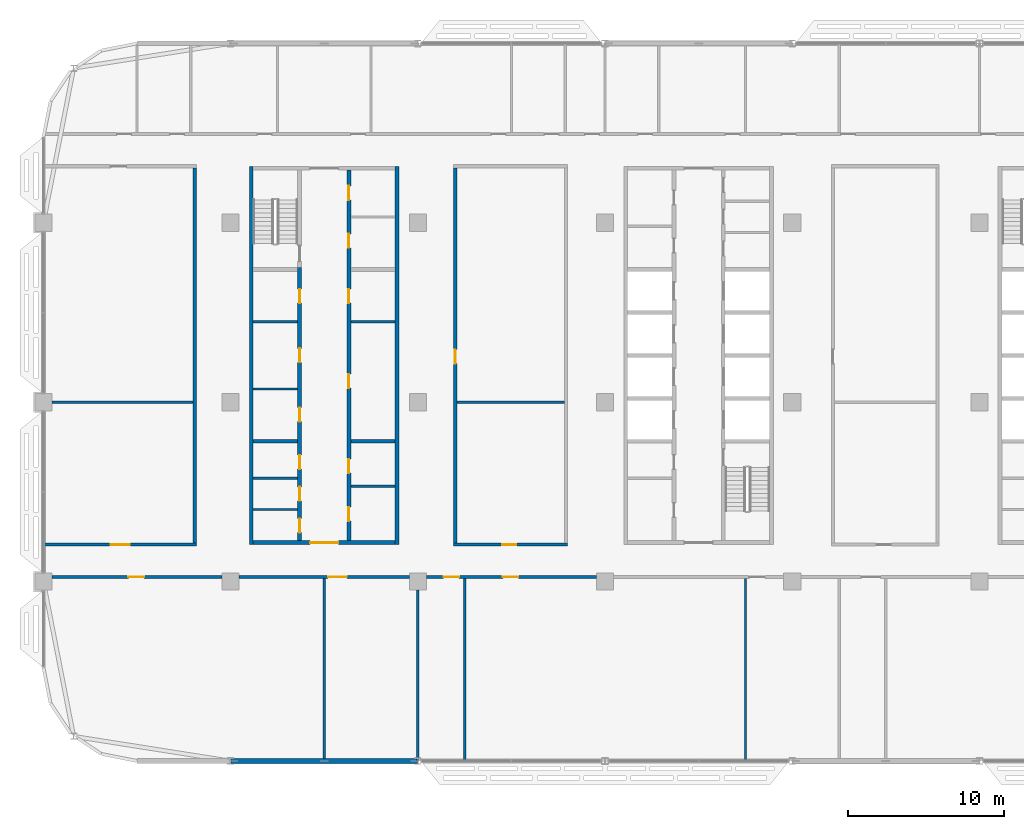
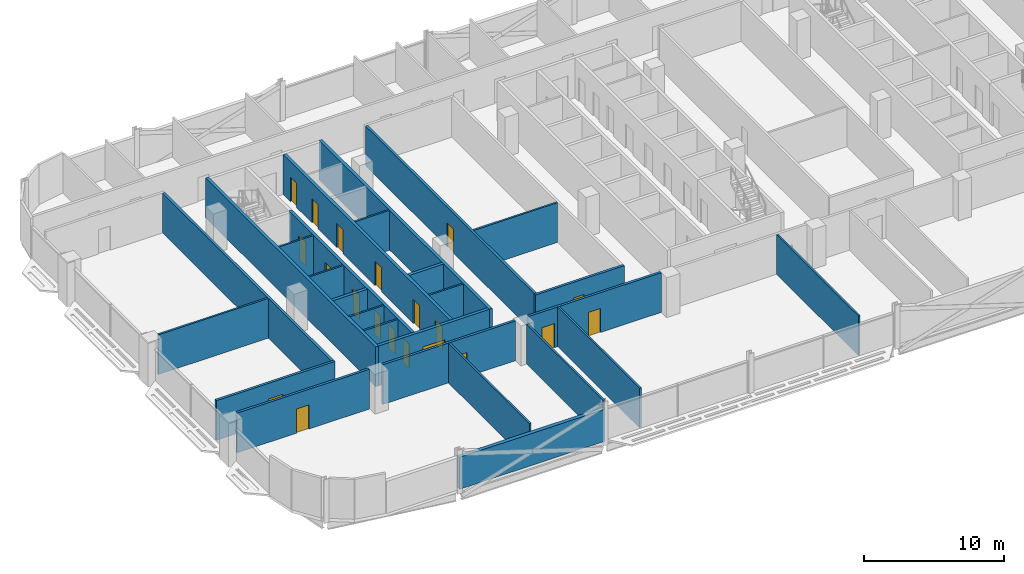
# One storey, part 13 of 30: 27 walls, 20 doors, 20 openings.
"""IFC4 building model written with IfcOpenShell, lengths in metres."""

from ifc_helpers import new_model, si_unit, direction, frame, frame_2d, origin, place, context, subcontext, project, spatial, rectangle, extrude, material, layer, layer_set, type_object, element, fill, save


model = new_model("IFC4")

# Units and contexts
model_context = context("Model", 3, precision=1e-05, world=origin(), true_north=direction((0.0, 1.0)))
body_context = subcontext(model_context, "Body", "Model", "MODEL_VIEW")
ifc_project = project(units=[si_unit("LENGTHUNIT", "METRE"), si_unit("AREAUNIT", "SQUARE_METRE"), si_unit("VOLUMEUNIT", "CUBIC_METRE"), si_unit("PLANEANGLEUNIT", "RADIAN"), si_unit("MASSUNIT", "GRAM", prefix="KILO")], contexts=[model_context])

# Site, building, storey
site_placement = place(None, origin())
site = spatial("IfcSite", under=ifc_project, at=site_placement, CompositionType="ELEMENT")
building_placement = place(site_placement, origin())
building = spatial("IfcBuilding", under=site, at=building_placement, Name="Mahtab Terrace Research Tower", CompositionType="ELEMENT")
storey_placement = place(building_placement, frame((0.0, 0.0, 216.699951171875)))
storey = spatial("IfcBuildingStorey", under=building, at=storey_placement, Name="L52", CompositionType="ELEMENT", Elevation=216.699951171875)

# Walls
ifc_material_1 = material(Name="Gypsum board partition")
ifc_layer_1 = layer(ifc_material_1, 0.14990234375)
ifc_layer_set_1 = layer_set([ifc_layer_1], Name="Core partition 150")
wall_type_1 = type_object("IfcWallType", Name="Core partition 150", PredefinedType="PARTITIONING", material=ifc_layer_set_1)
for number, where, z_axis, x_axis, name in (
    (1, (-28.550048828125, 0.85009765625, 0.0), (0.0, 0.0, 1.0), (1.0, 0.0, 0.0), "Core wall A pWL-215"),
    (2, (-28.550048828125, 5.14990234375, 0.0), (0.0, 0.0, 1.0), (1.0, 0.0, 0.0), "Core wall A pWL215"),
    (3, (-22.300048828125, 5.14990234375, 0.0), (0.0, 0.0, 1.0), (1.0, 0.0, 0.0), "Core wall A pEL215"),
    (4, (-28.550048828125, -6.875, 0.0), (0.0, 0.0, 1.0), (1.0, 0.0, 0.0), "Core wall A pWS-988"),
    (5, (-28.550048828125, -4.875, 0.0), (0.0, 0.0, 1.0), (1.0, 0.0, 0.0), "Core wall A pWS-788"),
    (6, (-22.300048828125, -5.39501953125, 0.0), (0.0, 0.0, 1.0), (1.0, 0.0, 0.0), "Core wall A pES-840"),
):
    element("IfcWall", number, at=place(storey_placement, frame(where, z_axis=z_axis, x_axis=x_axis)), inside=storey, type_object=wall_type_1, Name=name, PredefinedType="PARTITIONING", context=body_context, shape_type="SweptSolid", body=[
        extrude(rectangle(XDim=2.85009765625, YDim=0.14990234375, at=frame_2d((1.425048828125, 0.0))), origin(), (0.0, 0.0, 1.0), 3.4599609375),
    ])
ifc_material_2 = material(Name="Concrete C70/85", Category="concrete")
ifc_layer_2 = layer(ifc_material_2, 0.25)
ifc_layer_set_2 = layer_set([ifc_layer_2], Name="Core wall 250")
wall_type_2 = type_object("IfcWallType", Name="Core wall 250", PredefinedType="SOLIDWALL", material=ifc_layer_set_2)
for number, where, z_axis, x_axis, name in (
    (7, (-28.675048828125, 15.125, 0.0), (0.0, 0.0, 1.0), (0.0, -1.0, 0.0), "Core wall A outerW"),
    (8, (-19.324951171875, -9.125, 0.0), (0.0, 0.0, 1.0), (0.0, 1.0, 0.0), "Core wall A outerE"),
):
    element("IfcWall", number, at=place(storey_placement, frame(where, z_axis=z_axis, x_axis=x_axis)), inside=storey, type_object=wall_type_2, Name=name, PredefinedType="SOLIDWALL", context=body_context, shape_type="SweptSolid", body=[
        extrude(rectangle(XDim=24.25, YDim=0.25, at=frame_2d((12.125, 0.0))), origin(), (0.0, 0.0, 1.0), 3.4599609375),
    ])

# Wall, opening, door
wall_1_placement = place(storey_placement, frame((-19.449951171875, -9.0, 0.0), z_axis=(0.0, 0.0, 1.0), x_axis=(-1.0, 0.0, 0.0)))
wall_1 = element("IfcWall", 9, at=wall_1_placement, inside=storey, type_object=wall_type_2, Name="Core wall A endS", PredefinedType="SOLIDWALL", context=body_context, shape_type="SweptSolid", body=[
    extrude(rectangle(XDim=9.10009765625, YDim=0.25, at=frame_2d((4.550048828125, 0.0))), origin(), (0.0, 0.0, 1.0), 3.4599609375),
])
opening_1_placement = place(wall_1_placement, frame((3.64990234375, 0.0, 0.0)))
opening_1 = element("IfcOpeningElement", 10, at=opening_1_placement, cuts=wall_1, Name="Opening A-S1", PredefinedType="OPENING", context=body_context, shape_type="SweptSolid", body=[
    extrude(rectangle(XDim=1.800048828125, YDim=2.10009765625, at=frame_2d((0.89990234375, 1.050048828125))), frame((0.0, 0.135009765625, 0.0), z_axis=(0.0, -1.0, 0.0), x_axis=(1.0, 0.0, 0.0)), (0.0, 0.0, 1.0), 0.27001953125),
])
ifc_material_3 = material(Name="Steel fire door", Category="steel")
door_type_1 = type_object("IfcDoorType", Name="Lobby double door 1800x2100 1 HR", OperationType="DOUBLE_DOOR_SINGLE_SWING", PredefinedType="DOOR", material=ifc_material_3)
door_1_placement = place(opening_1_placement, origin())
door_1 = element("IfcDoor", 11, at=door_1_placement, inside=storey, type_object=door_type_1, Name="Core entrance door A S", OperationType="DOUBLE_DOOR_SINGLE_SWING", OverallHeight=2.10009765625, OverallWidth=1.800048828125, PredefinedType="DOOR", context=body_context, shape_type="SweptSolid", body=[
    extrude(rectangle(XDim=1.800048828125, YDim=2.10009765625, at=frame_2d((0.89990234375, 1.050048828125))), frame((0.0, 0.02490234375, 0.0), z_axis=(0.0, -1.0, 0.0), x_axis=(1.0, 0.0, 0.0)), (0.0, 0.0, 1.0), 0.050048828125),
])
fill(opening_1, door_1)

# Wall, openings, doors
wall_2_placement = place(storey_placement, frame((-25.574951171875, -8.875, 0.0), z_axis=(0.0, 0.0, 1.0), x_axis=(0.0, 1.0, 0.0)))
wall_2 = element("IfcWall", 12, at=wall_2_placement, inside=storey, type_object=wall_type_2, Name="Core wall A innerWSL", PredefinedType="SOLIDWALL", context=body_context, shape_type="SweptSolid", body=[
    extrude(rectangle(XDim=17.5, YDim=0.25, at=frame_2d((8.75, 0.0))), origin(), (0.0, 0.0, 1.0), 3.4599609375),
])
opening_2_placement = place(wall_2_placement, frame((7.625, 0.0, 0.0)))
opening_2 = element("IfcOpeningElement", 13, at=opening_2_placement, cuts=wall_2, Name="Opening A-R1", PredefinedType="OPENING", context=body_context, shape_type="SweptSolid", body=[
    extrude(rectangle(XDim=0.89990234375, YDim=2.10009765625, at=frame_2d((0.449951171875, 1.050048828125))), frame((0.0, 0.135009765625, 0.0), z_axis=(0.0, -1.0, 0.0), x_axis=(1.0, 0.0, 0.0)), (0.0, 0.0, 1.0), 0.27001953125),
])
opening_3_placement = place(wall_2_placement, frame((11.425048828125, 0.0, 0.0)))
opening_3 = element("IfcOpeningElement", 14, at=opening_3_placement, cuts=wall_2, Name="Opening A-R2", PredefinedType="OPENING", context=body_context, shape_type="SweptSolid", body=[
    extrude(rectangle(XDim=0.89990234375, YDim=2.10009765625, at=frame_2d((0.449951171875, 1.050048828125))), frame((0.0, 0.135009765625, 0.0), z_axis=(0.0, -1.0, 0.0), x_axis=(1.0, 0.0, 0.0)), (0.0, 0.0, 1.0), 0.27001953125),
])
opening_4_placement = place(wall_2_placement, frame((15.22509765625, 0.0, 0.0)))
opening_4 = element("IfcOpeningElement", 15, at=opening_4_placement, cuts=wall_2, Name="Opening A-R3", PredefinedType="OPENING", context=body_context, shape_type="SweptSolid", body=[
    extrude(rectangle(XDim=0.89990234375, YDim=2.10009765625, at=frame_2d((0.449951171875, 1.050048828125))), frame((0.0, 0.135009765625, 0.0), z_axis=(0.0, -1.0, 0.0), x_axis=(1.0, 0.0, 0.0)), (0.0, 0.0, 1.0), 0.27001953125),
])
opening_5_placement = place(wall_2_placement, frame((0.512451171875, 0.0, 0.0)))
opening_5 = element("IfcOpeningElement", 16, at=opening_5_placement, cuts=wall_2, Name="Opening A-R6", PredefinedType="OPENING", context=body_context, shape_type="SweptSolid", body=[
    extrude(rectangle(XDim=0.89990234375, YDim=2.10009765625, at=frame_2d((0.449951171875, 1.050048828125))), frame((0.0, 0.135009765625, 0.0), z_axis=(0.0, -1.0, 0.0), x_axis=(1.0, 0.0, 0.0)), (0.0, 0.0, 1.0), 0.27001953125),
])
opening_6_placement = place(wall_2_placement, frame((2.550048828125, 0.0, 0.0)))
opening_6 = element("IfcOpeningElement", 17, at=opening_6_placement, cuts=wall_2, Name="Opening A-R7", PredefinedType="OPENING", context=body_context, shape_type="SweptSolid", body=[
    extrude(rectangle(XDim=0.89990234375, YDim=2.10009765625, at=frame_2d((0.449951171875, 1.050048828125))), frame((0.0, 0.135009765625, 0.0), z_axis=(0.0, -1.0, 0.0), x_axis=(1.0, 0.0, 0.0)), (0.0, 0.0, 1.0), 0.27001953125),
])
opening_7_placement = place(wall_2_placement, frame((4.58740234375, 0.0, 0.0)))
opening_7 = element("IfcOpeningElement", 18, at=opening_7_placement, cuts=wall_2, Name="Opening A-R8", PredefinedType="OPENING", context=body_context, shape_type="SweptSolid", body=[
    extrude(rectangle(XDim=0.89990234375, YDim=2.10009765625, at=frame_2d((0.449951171875, 1.050048828125))), frame((0.0, 0.135009765625, 0.0), z_axis=(0.0, -1.0, 0.0), x_axis=(1.0, 0.0, 0.0)), (0.0, 0.0, 1.0), 0.27001953125),
])
door_type_2 = type_object("IfcDoorType", Name="Room door 900x2100 1 HR", OperationType="NOTDEFINED", PredefinedType="DOOR", material=ifc_material_3)
door_2_placement = place(opening_2_placement, origin())
door_2 = element("IfcDoor", 19, at=door_2_placement, inside=storey, type_object=door_type_2, Name="Electrical room door", OperationType="SINGLE_SWING_LEFT", OverallHeight=2.10009765625, OverallWidth=0.89990234375, PredefinedType="DOOR", context=body_context, shape_type="SweptSolid", body=[
    extrude(rectangle(XDim=0.89990234375, YDim=2.10009765625, at=frame_2d((0.449951171875, 1.050048828125))), frame((0.0, 0.02490234375, 0.0), z_axis=(0.0, -1.0, 0.0), x_axis=(1.0, 0.0, 0.0)), (0.0, 0.0, 1.0), 0.050048828125),
])
fill(opening_2, door_2)
door_3_placement = place(opening_3_placement, origin())
door_3 = element("IfcDoor", 20, at=door_3_placement, inside=storey, type_object=door_type_2, Name="Pantry door", OperationType="SINGLE_SWING_RIGHT", OverallHeight=2.10009765625, OverallWidth=0.89990234375, PredefinedType="DOOR", context=body_context, shape_type="SweptSolid", body=[
    extrude(rectangle(XDim=0.89990234375, YDim=2.10009765625, at=frame_2d((0.449951171875, 1.050048828125))), frame((0.0, 0.02490234375, 0.0), z_axis=(0.0, -1.0, 0.0), x_axis=(1.0, 0.0, 0.0)), (0.0, 0.0, 1.0), 0.050048828125),
])
fill(opening_3, door_3)
door_4_placement = place(opening_4_placement, origin())
door_4 = element("IfcDoor", 21, at=door_4_placement, inside=storey, type_object=door_type_2, Name="Housekeeping store door", OperationType="SINGLE_SWING_LEFT", OverallHeight=2.10009765625, OverallWidth=0.89990234375, PredefinedType="DOOR", context=body_context, shape_type="SweptSolid", body=[
    extrude(rectangle(XDim=0.89990234375, YDim=2.10009765625, at=frame_2d((0.449951171875, 1.050048828125))), frame((0.0, 0.02490234375, 0.0), z_axis=(0.0, -1.0, 0.0), x_axis=(1.0, 0.0, 0.0)), (0.0, 0.0, 1.0), 0.050048828125),
])
fill(opening_4, door_4)
door_5_placement = place(opening_5_placement, origin())
door_5 = element("IfcDoor", 22, at=door_5_placement, inside=storey, type_object=door_type_2, Name="Male WC door", OperationType="SINGLE_SWING_RIGHT", OverallHeight=2.10009765625, OverallWidth=0.89990234375, PredefinedType="DOOR", context=body_context, shape_type="SweptSolid", body=[
    extrude(rectangle(XDim=0.89990234375, YDim=2.10009765625, at=frame_2d((0.449951171875, 1.050048828125))), frame((0.0, 0.02490234375, 0.0), z_axis=(0.0, -1.0, 0.0), x_axis=(1.0, 0.0, 0.0)), (0.0, 0.0, 1.0), 0.050048828125),
])
fill(opening_5, door_5)
door_6_placement = place(opening_6_placement, origin())
door_6 = element("IfcDoor", 23, at=door_6_placement, inside=storey, type_object=door_type_2, Name="Female WC door", OperationType="SINGLE_SWING_LEFT", OverallHeight=2.10009765625, OverallWidth=0.89990234375, PredefinedType="DOOR", context=body_context, shape_type="SweptSolid", body=[
    extrude(rectangle(XDim=0.89990234375, YDim=2.10009765625, at=frame_2d((0.449951171875, 1.050048828125))), frame((0.0, 0.02490234375, 0.0), z_axis=(0.0, -1.0, 0.0), x_axis=(1.0, 0.0, 0.0)), (0.0, 0.0, 1.0), 0.050048828125),
])
fill(opening_6, door_6)
door_7_placement = place(opening_7_placement, origin())
door_7 = element("IfcDoor", 24, at=door_7_placement, inside=storey, type_object=door_type_2, Name="Accessible WC door", OperationType="SINGLE_SWING_RIGHT", OverallHeight=2.10009765625, OverallWidth=0.89990234375, PredefinedType="DOOR", context=body_context, shape_type="SweptSolid", body=[
    extrude(rectangle(XDim=0.89990234375, YDim=2.10009765625, at=frame_2d((0.449951171875, 1.050048828125))), frame((0.0, 0.02490234375, 0.0), z_axis=(0.0, -1.0, 0.0), x_axis=(1.0, 0.0, 0.0)), (0.0, 0.0, 1.0), 0.050048828125),
])
fill(opening_7, door_7)

wall_3_placement = place(storey_placement, frame((-22.425048828125, 14.875, 0.0), z_axis=(0.0, 0.0, 1.0), x_axis=(0.0, -1.0, 0.0)))
wall_3 = element("IfcWall", 25, at=wall_3_placement, inside=storey, type_object=wall_type_2, Name="Core wall A innerESLN", PredefinedType="SOLIDWALL", context=body_context, shape_type="SweptSolid", body=[
    extrude(rectangle(XDim=23.75, YDim=0.25, at=frame_2d((11.875, 0.0))), origin(), (0.0, 0.0, 1.0), 3.4599609375),
])
opening_8_placement = place(wall_3_placement, frame((13.074951171875, 0.0, 0.0)))
opening_8 = element("IfcOpeningElement", 26, at=opening_8_placement, cuts=wall_3, Name="Opening A-R4", PredefinedType="OPENING", context=body_context, shape_type="SweptSolid", body=[
    extrude(rectangle(XDim=0.89990234375, YDim=2.10009765625, at=frame_2d((0.449951171875, 1.050048828125))), frame((0.0, 0.135009765625, 0.0), z_axis=(0.0, -1.0, 0.0), x_axis=(1.0, 0.0, 0.0)), (0.0, 0.0, 1.0), 0.27001953125),
])
opening_9_placement = place(wall_3_placement, frame((7.625, 0.0, 0.0)))
opening_9 = element("IfcOpeningElement", 27, at=opening_9_placement, cuts=wall_3, Name="Opening A-R5", PredefinedType="OPENING", context=body_context, shape_type="SweptSolid", body=[
    extrude(rectangle(XDim=0.89990234375, YDim=2.10009765625, at=frame_2d((0.449951171875, 1.050048828125))), frame((0.0, 0.135009765625, 0.0), z_axis=(0.0, -1.0, 0.0), x_axis=(1.0, 0.0, 0.0)), (0.0, 0.0, 1.0), 0.27001953125),
])
opening_10_placement = place(wall_3_placement, frame((21.597412109375, 0.0, 0.0)))
opening_10 = element("IfcOpeningElement", 28, at=opening_10_placement, cuts=wall_3, Name="Opening A-R9", PredefinedType="OPENING", context=body_context, shape_type="SweptSolid", body=[
    extrude(rectangle(XDim=0.89990234375, YDim=2.10009765625, at=frame_2d((0.449951171875, 1.050048828125))), frame((0.0, 0.135009765625, 0.0), z_axis=(0.0, -1.0, 0.0), x_axis=(1.0, 0.0, 0.0)), (0.0, 0.0, 1.0), 0.27001953125),
])
opening_11_placement = place(wall_3_placement, frame((18.5224609375, 0.0, 0.0)))
opening_11 = element("IfcOpeningElement", 29, at=opening_11_placement, cuts=wall_3, Name="Opening A-R10", PredefinedType="OPENING", context=body_context, shape_type="SweptSolid", body=[
    extrude(rectangle(XDim=0.89990234375, YDim=2.10009765625, at=frame_2d((0.449951171875, 1.050048828125))), frame((0.0, 0.135009765625, 0.0), z_axis=(0.0, -1.0, 0.0), x_axis=(1.0, 0.0, 0.0)), (0.0, 0.0, 1.0), 0.27001953125),
])
opening_12_placement = place(wall_3_placement, frame((4.08740234375, 0.0, 0.0)))
opening_12 = element("IfcOpeningElement", 30, at=opening_12_placement, cuts=wall_3, Name="Opening A-R11", PredefinedType="OPENING", context=body_context, shape_type="SweptSolid", body=[
    extrude(rectangle(XDim=0.89990234375, YDim=2.10009765625, at=frame_2d((0.449951171875, 1.050048828125))), frame((0.0, 0.135009765625, 0.0), z_axis=(0.0, -1.0, 0.0), x_axis=(1.0, 0.0, 0.0)), (0.0, 0.0, 1.0), 0.27001953125),
])
opening_13_placement = place(wall_3_placement, frame((1.012451171875, 0.0, 0.0)))
opening_13 = element("IfcOpeningElement", 31, at=opening_13_placement, cuts=wall_3, Name="Opening A-R12", PredefinedType="OPENING", context=body_context, shape_type="SweptSolid", body=[
    extrude(rectangle(XDim=0.89990234375, YDim=2.10009765625, at=frame_2d((0.449951171875, 1.050048828125))), frame((0.0, 0.135009765625, 0.0), z_axis=(0.0, -1.0, 0.0), x_axis=(1.0, 0.0, 0.0)), (0.0, 0.0, 1.0), 0.27001953125),
])
door_8_placement = place(opening_8_placement, origin())
door_8 = element("IfcDoor", 32, at=door_8_placement, inside=storey, type_object=door_type_2, Name="Chemical store door", OperationType="SINGLE_SWING_RIGHT", OverallHeight=2.10009765625, OverallWidth=0.89990234375, PredefinedType="DOOR", context=body_context, shape_type="SweptSolid", body=[
    extrude(rectangle(XDim=0.89990234375, YDim=2.10009765625, at=frame_2d((0.449951171875, 1.050048828125))), frame((0.0, 0.02490234375, 0.0), z_axis=(0.0, -1.0, 0.0), x_axis=(1.0, 0.0, 0.0)), (0.0, 0.0, 1.0), 0.050048828125),
])
fill(opening_8, door_8)
door_9_placement = place(opening_9_placement, origin())
door_9 = element("IfcDoor", 33, at=door_9_placement, inside=storey, type_object=door_type_2, Name="Waste room door", OperationType="SINGLE_SWING_LEFT", OverallHeight=2.10009765625, OverallWidth=0.89990234375, PredefinedType="DOOR", context=body_context, shape_type="SweptSolid", body=[
    extrude(rectangle(XDim=0.89990234375, YDim=2.10009765625, at=frame_2d((0.449951171875, 1.050048828125))), frame((0.0, 0.02490234375, 0.0), z_axis=(0.0, -1.0, 0.0), x_axis=(1.0, 0.0, 0.0)), (0.0, 0.0, 1.0), 0.050048828125),
])
fill(opening_9, door_9)
door_10_placement = place(opening_10_placement, origin())
door_10 = element("IfcDoor", 34, at=door_10_placement, inside=storey, type_object=door_type_2, Name="Pantry door", OperationType="SINGLE_SWING_LEFT", OverallHeight=2.10009765625, OverallWidth=0.89990234375, PredefinedType="DOOR", context=body_context, shape_type="SweptSolid", body=[
    extrude(rectangle(XDim=0.89990234375, YDim=2.10009765625, at=frame_2d((0.449951171875, 1.050048828125))), frame((0.0, 0.02490234375, 0.0), z_axis=(0.0, -1.0, 0.0), x_axis=(1.0, 0.0, 0.0)), (0.0, 0.0, 1.0), 0.050048828125),
])
fill(opening_10, door_10)
door_11_placement = place(opening_11_placement, origin())
door_11 = element("IfcDoor", 35, at=door_11_placement, inside=storey, type_object=door_type_2, Name="Linen store door", OperationType="SINGLE_SWING_RIGHT", OverallHeight=2.10009765625, OverallWidth=0.89990234375, PredefinedType="DOOR", context=body_context, shape_type="SweptSolid", body=[
    extrude(rectangle(XDim=0.89990234375, YDim=2.10009765625, at=frame_2d((0.449951171875, 1.050048828125))), frame((0.0, 0.02490234375, 0.0), z_axis=(0.0, -1.0, 0.0), x_axis=(1.0, 0.0, 0.0)), (0.0, 0.0, 1.0), 0.050048828125),
])
fill(opening_11, door_11)
door_12_placement = place(opening_12_placement, origin())
door_12 = element("IfcDoor", 36, at=door_12_placement, inside=storey, type_object=door_type_2, Name="Housekeeping store door", OperationType="SINGLE_SWING_LEFT", OverallHeight=2.10009765625, OverallWidth=0.89990234375, PredefinedType="DOOR", context=body_context, shape_type="SweptSolid", body=[
    extrude(rectangle(XDim=0.89990234375, YDim=2.10009765625, at=frame_2d((0.449951171875, 1.050048828125))), frame((0.0, 0.02490234375, 0.0), z_axis=(0.0, -1.0, 0.0), x_axis=(1.0, 0.0, 0.0)), (0.0, 0.0, 1.0), 0.050048828125),
])
fill(opening_12, door_12)
door_13_placement = place(opening_13_placement, origin())
door_13 = element("IfcDoor", 37, at=door_13_placement, inside=storey, type_object=door_type_2, Name="Electrical riser room door", OperationType="SINGLE_SWING_RIGHT", OverallHeight=2.10009765625, OverallWidth=0.89990234375, PredefinedType="DOOR", context=body_context, shape_type="SweptSolid", body=[
    extrude(rectangle(XDim=0.89990234375, YDim=2.10009765625, at=frame_2d((0.449951171875, 1.050048828125))), frame((0.0, 0.02490234375, 0.0), z_axis=(0.0, -1.0, 0.0), x_axis=(1.0, 0.0, 0.0)), (0.0, 0.0, 1.0), 0.050048828125),
])
fill(opening_13, door_13)

# Walls
for number, where, z_axis, x_axis, name in (
    (38, (-28.550048828125, -2.5, 0.0), (0.0, 0.0, 1.0), (1.0, 0.0, 0.0), "Core wall A divW0"),
    (39, (-22.300048828125, -2.5, 0.0), (0.0, 0.0, 1.0), (1.0, 0.0, 0.0), "Core wall A divE0"),
):
    element("IfcWall", number, at=place(storey_placement, frame(where, z_axis=z_axis, x_axis=x_axis)), inside=storey, type_object=wall_type_2, Name=name, PredefinedType="SOLIDWALL", context=body_context, shape_type="SweptSolid", body=[
        extrude(rectangle(XDim=2.85009765625, YDim=0.25, at=frame_2d((1.425048828125, 0.0))), origin(), (0.0, 0.0, 1.0), 3.4599609375),
    ])
ifc_material_4 = material(Name="Black aluminium cladding panel", Category="aluminium")
ifc_layer_3 = layer(ifc_material_4, 0.300048828125)
ifc_layer_set_3 = layer_set([ifc_layer_3], Name="Opaque facade wall 300")
wall_type_3 = type_object("IfcWallType", Name="Opaque facade wall 300", PredefinedType="NOTDEFINED", material=ifc_layer_set_3)
wall_4_placement = place(storey_placement, frame((-29.987548828125, -23.0, 0.0), z_axis=(0.0, 0.0, 1.0), x_axis=(1.0, 0.0, 0.0)))
element("IfcWall", 40, at=wall_4_placement, inside=storey, type_object=wall_type_3, Name="Opaque facade wall L52 S24", PredefinedType="NOTDEFINED", context=body_context, shape_type="SweptSolid", body=[
    extrude(rectangle(XDim=11.97509765625, YDim=0.300048828125, at=frame_2d((5.987548828125, 0.0))), origin(), (0.0, 0.0, 1.0), 2.78173828125),
])

# Wall, opening, door
ifc_material_5 = material(Name="Gypsum board corridor wall on steel studs", Category="steel")
ifc_layer_4 = layer(ifc_material_5, 0.199951171875)
ifc_layer_set_4 = layer_set([ifc_layer_4], Name="WALL CORRIDOR 200")
wall_type_4 = type_object("IfcWallType", Name="WALL CORRIDOR 200", PredefinedType="PARTITIONING", material=ifc_layer_set_4)
wall_5_placement = place(storey_placement, frame((-41.449951171875, -11.199951171875, 0.0), z_axis=(0.0, 0.0, 1.0), x_axis=(1.0, 0.0, 0.0)))
wall_5 = element("IfcWall", 41, at=wall_5_placement, inside=storey, type_object=wall_type_4, Name="L52-W001", PredefinedType="PARTITIONING", context=body_context, shape_type="SweptSolid", body=[
    extrude(rectangle(XDim=10.89990234375, YDim=0.199951171875, at=frame_2d((5.449951171875, 0.0))), origin(), (0.0, 0.0, 1.0), 3.4599609375),
])
opening_14_placement = place(wall_5_placement, frame((4.89990234375, 0.0, 0.0)))
opening_14 = element("IfcOpeningElement", 42, at=opening_14_placement, cuts=wall_5, Name="Opening L52-101", PredefinedType="OPENING", context=body_context, shape_type="SweptSolid", body=[
    extrude(rectangle(XDim=1.0, YDim=2.10009765625, at=frame_2d((0.5, 1.050048828125))), frame((0.0, 0.10986328125, 0.0), z_axis=(0.0, -1.0, 0.0), x_axis=(1.0, 0.0, 0.0)), (0.0, 0.0, 1.0), 0.219970703125),
])
ifc_material_6 = material(Name="Timber door leaf in steel frame", Category="steel")
door_type_3 = type_object("IfcDoorType", Name="DOOR 1000X2100 FD30S", OperationType="SINGLE_SWING_LEFT", PredefinedType="DOOR", material=ifc_material_6)
door_14_placement = place(opening_14_placement, origin())
door_14 = element("IfcDoor", 43, at=door_14_placement, inside=storey, type_object=door_type_3, Name="Door L52-101", OperationType="SINGLE_SWING_RIGHT", OverallHeight=2.10009765625, OverallWidth=1.0, PredefinedType="DOOR", context=body_context, shape_type="SweptSolid", body=[
    extrude(rectangle(XDim=1.0, YDim=2.10009765625, at=frame_2d((0.5, 1.050048828125))), frame((0.0, 0.02490234375, 0.0), z_axis=(0.0, -1.0, 0.0), x_axis=(1.0, 0.0, 0.0)), (0.0, 0.0, 1.0), 0.050048828125),
])
fill(opening_14, door_14)

wall_6_placement = place(storey_placement, frame((-29.449951171875, -11.199951171875, 0.0), z_axis=(0.0, 0.0, 1.0), x_axis=(1.0, 0.0, 0.0)))
wall_6 = element("IfcWall", 44, at=wall_6_placement, inside=storey, type_object=wall_type_4, Name="L52-W002", PredefinedType="PARTITIONING", context=body_context, shape_type="SweptSolid", body=[
    extrude(rectangle(XDim=10.89990234375, YDim=0.199951171875, at=frame_2d((5.449951171875, 0.0))), origin(), (0.0, 0.0, 1.0), 3.4599609375),
])
opening_15_placement = place(wall_6_placement, frame((5.699951171875, 0.0, 0.0)))
opening_15 = element("IfcOpeningElement", 45, at=opening_15_placement, cuts=wall_6, Name="Opening L52-102", PredefinedType="OPENING", context=body_context, shape_type="SweptSolid", body=[
    extrude(rectangle(XDim=1.199951171875, YDim=2.10009765625, at=frame_2d((0.60009765625, 1.050048828125))), frame((0.0, 0.10986328125, 0.0), z_axis=(0.0, -1.0, 0.0), x_axis=(1.0, 0.0, 0.0)), (0.0, 0.0, 1.0), 0.219970703125),
])
door_type_4 = type_object("IfcDoorType", Name="DOOR 1200X2100 FD30S", OperationType="SINGLE_SWING_LEFT", PredefinedType="DOOR", material=ifc_material_6)
door_15_placement = place(opening_15_placement, origin())
door_15 = element("IfcDoor", 46, at=door_15_placement, inside=storey, type_object=door_type_4, Name="Door L52-102", OperationType="SINGLE_SWING_LEFT", OverallHeight=2.10009765625, OverallWidth=1.199951171875, PredefinedType="DOOR", context=body_context, shape_type="SweptSolid", body=[
    extrude(rectangle(XDim=1.199951171875, YDim=2.10009765625, at=frame_2d((0.60009765625, 1.050048828125))), frame((0.0, 0.02490234375, 0.0), z_axis=(0.0, -1.0, 0.0), x_axis=(1.0, 0.0, 0.0)), (0.0, 0.0, 1.0), 0.050048828125),
])
fill(opening_15, door_15)

# Wall, openings, doors
wall_7_placement = place(storey_placement, frame((-17.449951171875, -11.199951171875, 0.0), z_axis=(0.0, 0.0, 1.0), x_axis=(1.0, 0.0, 0.0)))
wall_7 = element("IfcWall", 47, at=wall_7_placement, inside=storey, type_object=wall_type_4, Name="L52-W003", PredefinedType="PARTITIONING", context=body_context, shape_type="SweptSolid", body=[
    extrude(rectangle(XDim=10.89990234375, YDim=0.199951171875, at=frame_2d((5.449951171875, 0.0))), origin(), (0.0, 0.0, 1.0), 3.4599609375),
])
opening_16_placement = place(wall_7_placement, frame((1.10009765625, 0.0, 0.0)))
opening_16 = element("IfcOpeningElement", 48, at=opening_16_placement, cuts=wall_7, Name="Opening L52-103", PredefinedType="OPENING", context=body_context, shape_type="SweptSolid", body=[
    extrude(rectangle(XDim=1.0, YDim=2.10009765625, at=frame_2d((0.5, 1.050048828125))), frame((0.0, 0.10986328125, 0.0), z_axis=(0.0, -1.0, 0.0), x_axis=(1.0, 0.0, 0.0)), (0.0, 0.0, 1.0), 0.219970703125),
])
opening_17_placement = place(wall_7_placement, frame((4.89990234375, 0.0, 0.0)))
opening_17 = element("IfcOpeningElement", 49, at=opening_17_placement, cuts=wall_7, Name="Opening L52-104", PredefinedType="OPENING", context=body_context, shape_type="SweptSolid", body=[
    extrude(rectangle(XDim=1.0, YDim=2.10009765625, at=frame_2d((0.5, 1.050048828125))), frame((0.0, 0.10986328125, 0.0), z_axis=(0.0, -1.0, 0.0), x_axis=(1.0, 0.0, 0.0)), (0.0, 0.0, 1.0), 0.219970703125),
])
door_16_placement = place(opening_16_placement, origin())
door_16 = element("IfcDoor", 50, at=door_16_placement, inside=storey, type_object=door_type_3, Name="Door L52-103", OperationType="SINGLE_SWING_RIGHT", OverallHeight=2.10009765625, OverallWidth=1.0, PredefinedType="DOOR", context=body_context, shape_type="SweptSolid", body=[
    extrude(rectangle(XDim=1.0, YDim=2.10009765625, at=frame_2d((0.5, 1.050048828125))), frame((0.0, 0.02490234375, 0.0), z_axis=(0.0, -1.0, 0.0), x_axis=(1.0, 0.0, 0.0)), (0.0, 0.0, 1.0), 0.050048828125),
])
fill(opening_16, door_16)
door_17_placement = place(opening_17_placement, origin())
door_17 = element("IfcDoor", 51, at=door_17_placement, inside=storey, type_object=door_type_3, Name="Door L52-104", OperationType="SINGLE_SWING_RIGHT", OverallHeight=2.10009765625, OverallWidth=1.0, PredefinedType="DOOR", context=body_context, shape_type="SweptSolid", body=[
    extrude(rectangle(XDim=1.0, YDim=2.10009765625, at=frame_2d((0.5, 1.050048828125))), frame((0.0, 0.02490234375, 0.0), z_axis=(0.0, -1.0, 0.0), x_axis=(1.0, 0.0, 0.0)), (0.0, 0.0, 1.0), 0.050048828125),
])
fill(opening_17, door_17)

# Wall, opening, door
wall_8_placement = place(storey_placement, frame((-41.97509765625, -9.125, 0.0), z_axis=(0.0, 0.0, 1.0), x_axis=(1.0, 0.0, 0.0)))
wall_8 = element("IfcWall", 52, at=wall_8_placement, inside=storey, type_object=wall_type_4, Name="L52-W009", PredefinedType="PARTITIONING", context=body_context, shape_type="SweptSolid", body=[
    extrude(rectangle(XDim=9.775146484375, YDim=0.199951171875, at=frame_2d((4.8876953125, 0.0))), origin(), (0.0, 0.0, 1.0), 3.4599609375),
])
opening_18_placement = place(wall_8_placement, frame((4.300048828125, 0.0, 0.0)))
opening_18 = element("IfcOpeningElement", 53, at=opening_18_placement, cuts=wall_8, Name="Opening L52-111", PredefinedType="OPENING", context=body_context, shape_type="SweptSolid", body=[
    extrude(rectangle(XDim=1.199951171875, YDim=2.10009765625, at=frame_2d((0.60009765625, 1.050048828125))), frame((0.0, 0.10986328125, 0.0), z_axis=(0.0, -1.0, 0.0), x_axis=(1.0, 0.0, 0.0)), (0.0, 0.0, 1.0), 0.219970703125),
])
door_18_placement = place(opening_18_placement, origin())
door_18 = element("IfcDoor", 54, at=door_18_placement, inside=storey, type_object=door_type_4, Name="Door L52-111", OperationType="SINGLE_SWING_RIGHT", OverallHeight=2.10009765625, OverallWidth=1.199951171875, PredefinedType="DOOR", context=body_context, shape_type="SweptSolid", body=[
    extrude(rectangle(XDim=1.199951171875, YDim=2.10009765625, at=frame_2d((0.60009765625, 1.050048828125))), frame((0.0, 0.02490234375, 0.0), z_axis=(0.0, -1.0, 0.0), x_axis=(1.0, 0.0, 0.0)), (0.0, 0.0, 1.0), 0.050048828125),
])
fill(opening_18, door_18)

wall_9_placement = place(storey_placement, frame((-15.699951171875, -9.125, 0.0), z_axis=(0.0, 0.0, 1.0), x_axis=(1.0, 0.0, 0.0)))
wall_9 = element("IfcWall", 55, at=wall_9_placement, inside=storey, type_object=wall_type_4, Name="L52-W010", PredefinedType="PARTITIONING", context=body_context, shape_type="SweptSolid", body=[
    extrude(rectangle(XDim=7.300048828125, YDim=0.199951171875, at=frame_2d((3.64990234375, 0.0))), origin(), (0.0, 0.0, 1.0), 3.4599609375),
])
opening_19_placement = place(wall_9_placement, frame((3.10009765625, 0.0, 0.0)))
opening_19 = element("IfcOpeningElement", 56, at=opening_19_placement, cuts=wall_9, Name="Opening L52-112", PredefinedType="OPENING", context=body_context, shape_type="SweptSolid", body=[
    extrude(rectangle(XDim=0.89990234375, YDim=2.10009765625, at=frame_2d((0.449951171875, 1.050048828125))), frame((0.0, 0.10986328125, 0.0), z_axis=(0.0, -1.0, 0.0), x_axis=(1.0, 0.0, 0.0)), (0.0, 0.0, 1.0), 0.219970703125),
])
door_type_5 = type_object("IfcDoorType", Name="DOOR 0900X2100 FD30S", OperationType="SINGLE_SWING_LEFT", PredefinedType="DOOR", material=ifc_material_6)
door_19_placement = place(opening_19_placement, origin())
door_19 = element("IfcDoor", 57, at=door_19_placement, inside=storey, type_object=door_type_5, Name="Door L52-112", OperationType="SINGLE_SWING_LEFT", OverallHeight=2.10009765625, OverallWidth=0.89990234375, PredefinedType="DOOR", context=body_context, shape_type="SweptSolid", body=[
    extrude(rectangle(XDim=0.89990234375, YDim=2.10009765625, at=frame_2d((0.449951171875, 1.050048828125))), frame((0.0, 0.02490234375, 0.0), z_axis=(0.0, -1.0, 0.0), x_axis=(1.0, 0.0, 0.0)), (0.0, 0.0, 1.0), 0.050048828125),
])
fill(opening_19, door_19)

# Wall
wall_10_placement = place(storey_placement, frame((-32.300048828125, -9.02490234375, 0.0), z_axis=(0.0, 0.0, 1.0), x_axis=(0.0, 1.0, 0.0)))
element("IfcWall", 58, at=wall_10_placement, inside=storey, type_object=wall_type_4, Name="L52-W025", PredefinedType="PARTITIONING", context=body_context, shape_type="SweptSolid", body=[
    extrude(rectangle(XDim=24.0498046875, YDim=0.199951171875, at=frame_2d((12.02490234375, 0.0))), origin(), (0.0, 0.0, 1.0), 3.4599609375),
])

# Wall, opening, door
wall_11_placement = place(storey_placement, frame((-15.60009765625, -9.02490234375, 0.0), z_axis=(0.0, 0.0, 1.0), x_axis=(0.0, 1.0, 0.0)))
wall_11 = element("IfcWall", 59, at=wall_11_placement, inside=storey, type_object=wall_type_4, Name="L52-W030", PredefinedType="PARTITIONING", context=body_context, shape_type="SweptSolid", body=[
    extrude(rectangle(XDim=24.0498046875, YDim=0.199951171875, at=frame_2d((12.02490234375, 0.0))), origin(), (0.0, 0.0, 1.0), 3.4599609375),
])
opening_20_placement = place(wall_11_placement, frame((11.5, 0.0, 0.0)))
opening_20 = element("IfcOpeningElement", 60, at=opening_20_placement, cuts=wall_11, Name="Opening L52-117", PredefinedType="OPENING", context=body_context, shape_type="SweptSolid", body=[
    extrude(rectangle(XDim=0.89990234375, YDim=2.10009765625, at=frame_2d((0.449951171875, 1.050048828125))), frame((0.0, 0.10986328125, 0.0), z_axis=(0.0, -1.0, 0.0), x_axis=(1.0, 0.0, 0.0)), (0.0, 0.0, 1.0), 0.219970703125),
])
door_20_placement = place(opening_20_placement, origin())
door_20 = element("IfcDoor", 61, at=door_20_placement, inside=storey, type_object=door_type_5, Name="Door L52-117", OperationType="SINGLE_SWING_RIGHT", OverallHeight=2.10009765625, OverallWidth=0.89990234375, PredefinedType="DOOR", context=body_context, shape_type="SweptSolid", body=[
    extrude(rectangle(XDim=0.89990234375, YDim=2.10009765625, at=frame_2d((0.449951171875, 1.050048828125))), frame((0.0, 0.02490234375, 0.0), z_axis=(0.0, -1.0, 0.0), x_axis=(1.0, 0.0, 0.0)), (0.0, 0.0, 1.0), 0.050048828125),
])
fill(opening_20, door_20)

# Walls
ifc_material_7 = material(Name="Gypsum board partition on steel studs", Category="steel")
ifc_layer_5 = layer(ifc_material_7, 0.14990234375)
ifc_layer_set_5 = layer_set([ifc_layer_5], Name="WALL PARTITION 150")
wall_type_5 = type_object("IfcWallType", Name="WALL PARTITION 150", PredefinedType="PARTITIONING", material=ifc_layer_set_5)
wall_12_placement = place(storey_placement, frame((-41.449951171875, 0.0, 0.0), z_axis=(0.0, 0.0, 1.0), x_axis=(1.0, 0.0, 0.0)))
element("IfcWall", 62, at=wall_12_placement, inside=storey, type_object=wall_type_5, Name="L52-W013", PredefinedType="PARTITIONING", context=body_context, shape_type="SweptSolid", body=[
    extrude(rectangle(XDim=9.050048828125, YDim=0.14990234375, at=frame_2d((4.52490234375, 0.0))), origin(), (0.0, 0.0, 1.0), 3.4599609375),
])
wall_13_placement = place(storey_placement, frame((-15.5, 0.0, 0.0), z_axis=(0.0, 0.0, 1.0), x_axis=(1.0, 0.0, 0.0)))
element("IfcWall", 63, at=wall_13_placement, inside=storey, type_object=wall_type_5, Name="L52-W014", PredefinedType="PARTITIONING", context=body_context, shape_type="SweptSolid", body=[
    extrude(rectangle(XDim=6.89990234375, YDim=0.14990234375, at=frame_2d((3.449951171875, 0.0))), origin(), (0.0, 0.0, 1.0), 3.4599609375),
])
wall_14_placement = place(storey_placement, frame((-24.0, -22.85009765625, 0.0), z_axis=(0.0, 0.0, 1.0), x_axis=(0.0, 1.0, 0.0)))
element("IfcWall", 64, at=wall_14_placement, inside=storey, type_object=wall_type_5, Name="L52-W027", PredefinedType="PARTITIONING", context=body_context, shape_type="SweptSolid", body=[
    extrude(rectangle(XDim=11.550048828125, YDim=0.14990234375, at=frame_2d((5.77490234375, 0.0))), origin(), (0.0, 0.0, 1.0), 3.4599609375),
])
wall_15_placement = place(storey_placement, frame((-18.0, -22.97509765625, 0.0), z_axis=(0.0, 0.0, 1.0), x_axis=(0.0, 1.0, 0.0)))
element("IfcWall", 65, at=wall_15_placement, inside=storey, type_object=wall_type_5, Name="L52-W029", PredefinedType="PARTITIONING", context=body_context, shape_type="SweptSolid", body=[
    extrude(rectangle(XDim=10.925048828125, YDim=0.14990234375, at=frame_2d((5.46240234375, 0.0))), origin(), (0.0, 0.0, 1.0), 3.4599609375),
])
for number, where, z_axis, x_axis, name in (
    (66, (-15.0, -22.97509765625, 0.0), (0.0, 0.0, 1.0), (0.0, 1.0, 0.0), "L52-W031"),
    (67, (3.0, -22.97509765625, 0.0), (0.0, 0.0, 1.0), (0.0, 1.0, 0.0), "L52-W037"),
):
    element("IfcWall", number, at=place(storey_placement, frame(where, z_axis=z_axis, x_axis=x_axis)), inside=storey, type_object=wall_type_5, Name=name, PredefinedType="PARTITIONING", context=body_context, shape_type="SweptSolid", body=[
        extrude(rectangle(XDim=11.675048828125, YDim=0.14990234375, at=frame_2d((5.83740234375, 0.0))), origin(), (0.0, 0.0, 1.0), 3.4599609375),
    ])

save(model, "model.ifc")
